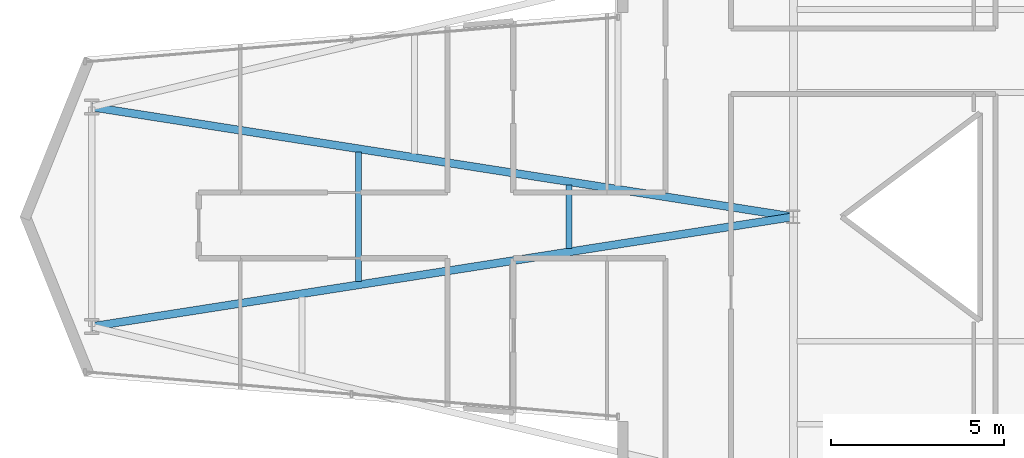
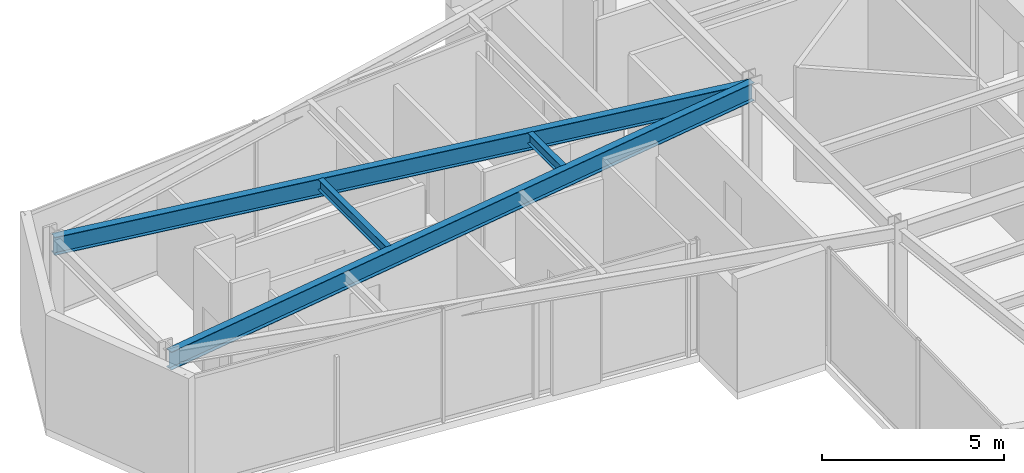
# One storey, part 7 of 25: 4 beams.
"""IFC4 building model written with IfcOpenShell, lengths in metres."""

from ifc_helpers import new_model, si_unit, direction, frame, origin, origin_2d, place, context, subcontext, project, spatial, i_section, extrude, material, material_profile, profile_set, type_object, element, save


model = new_model("IFC4")

# Units and contexts
model_context = context("Model", 3, precision=1e-05, world=origin(), true_north=direction((0.0, 1.0)))
body_context = subcontext(model_context, "Body", "Model", "MODEL_VIEW")
ifc_project = project(units=[si_unit("LENGTHUNIT", "METRE"), si_unit("AREAUNIT", "SQUARE_METRE"), si_unit("VOLUMEUNIT", "CUBIC_METRE"), si_unit("PLANEANGLEUNIT", "RADIAN"), si_unit("MASSUNIT", "GRAM", prefix="KILO")], contexts=[model_context])

# Site, building, storey
site_placement = place(None, origin())
site = spatial("IfcSite", under=ifc_project, at=site_placement, CompositionType="ELEMENT")
building_placement = place(site_placement, origin())
building = spatial("IfcBuilding", under=site, at=building_placement, Name="Veymaron Broadcast Tower", CompositionType="ELEMENT")
storey_placement = place(building_placement, frame((0.0, 0.0, 129.0)))
storey = spatial("IfcBuildingStorey", under=building, at=storey_placement, Name="L29", CompositionType="ELEMENT", Elevation=129.0)

# Beams
ifc_material = material(Name="Structural steel ASTM A992 Gr 50", Category="steel")
ifc_material_profile_1 = material_profile(ifc_material, i_section(OverallWidth=0.22802734375, OverallDepth=0.60791015625, WebThickness=0.01123046875, FlangeThickness=0.017333984375, at=origin_2d()), Name="W610X113")
ifc_profile_set_1 = profile_set([ifc_material_profile_1], Name="Structural steel ASTM A992 Gr 50")
beam_type_1 = type_object("IfcBeamType", Name="BM-FG2", PredefinedType="BEAM", material=ifc_profile_set_1)
for number, where, z_axis, x_axis, name in (
    (1, (10.905029296875, 20.824951171875, 3.506103515625), (0.987982557998, 0.154565407164, 0.0), (-0.154565407164, 0.987982557998, 0.0), "L29 primary structural floor girder"),
    (2, (10.905029296875, 27.175048828125, 3.506103515625), (0.987982557998, -0.154565407164, 0.0), (0.154565407164, 0.987982557998, 0.0), "L29 primary structural floor girder"),
):
    element("IfcBeam", number, at=place(storey_placement, frame(where, z_axis=z_axis, x_axis=x_axis)), inside=storey, type_object=beam_type_1, Name=name, PredefinedType="BEAM", context=body_context, shape_type="SweptSolid", body=[
        extrude(i_section(OverallWidth=0.22802734375, OverallDepth=0.60791015625, WebThickness=0.01123046875, FlangeThickness=0.017333984375, at=origin_2d()), origin(), (0.0, 0.0, 1.0), 20.541748046875),
    ])
ifc_material_profile_2 = material_profile(ifc_material, i_section(OverallWidth=0.1708984375, OverallDepth=0.35498046875, WebThickness=0.007080078125, FlangeThickness=0.01171875, at=origin_2d()), Name="W360X51")
ifc_profile_set_2 = profile_set([ifc_material_profile_2], Name="Structural steel ASTM A992 Gr 50")
beam_type_2 = type_object("IfcBeamType", Name="BM-JS2", PredefinedType="JOIST", material=ifc_profile_set_2)
beam_1_placement = place(storey_placement, frame((18.6171875, 22.131591796875, 3.632568359375), z_axis=(0.0, 1.0, 0.0), x_axis=(-1.0, 0.0, 0.0)))
element("IfcBeam", 3, at=beam_1_placement, inside=storey, type_object=beam_type_2, Name="L29 Arm-A secondary joist 1M", PredefinedType="JOIST", context=body_context, shape_type="SweptSolid", body=[
    extrude(i_section(OverallWidth=0.1708984375, OverallDepth=0.35498046875, WebThickness=0.007080078125, FlangeThickness=0.01171875, at=origin_2d()), origin(), (0.0, 0.0, 1.0), 3.73681640625),
])
beam_2_placement = place(storey_placement, frame((24.70556640625, 23.083984375, 3.632568359375), z_axis=(0.0, 1.0, 0.0), x_axis=(-1.0, 0.0, 0.0)))
element("IfcBeam", 4, at=beam_2_placement, inside=storey, type_object=beam_type_2, Name="L29 Arm-A secondary joist 2M", PredefinedType="JOIST", context=body_context, shape_type="SweptSolid", body=[
    extrude(i_section(OverallWidth=0.1708984375, OverallDepth=0.35498046875, WebThickness=0.007080078125, FlangeThickness=0.01171875, at=origin_2d()), origin(), (0.0, 0.0, 1.0), 1.83203125),
])

save(model, "model.ifc")
